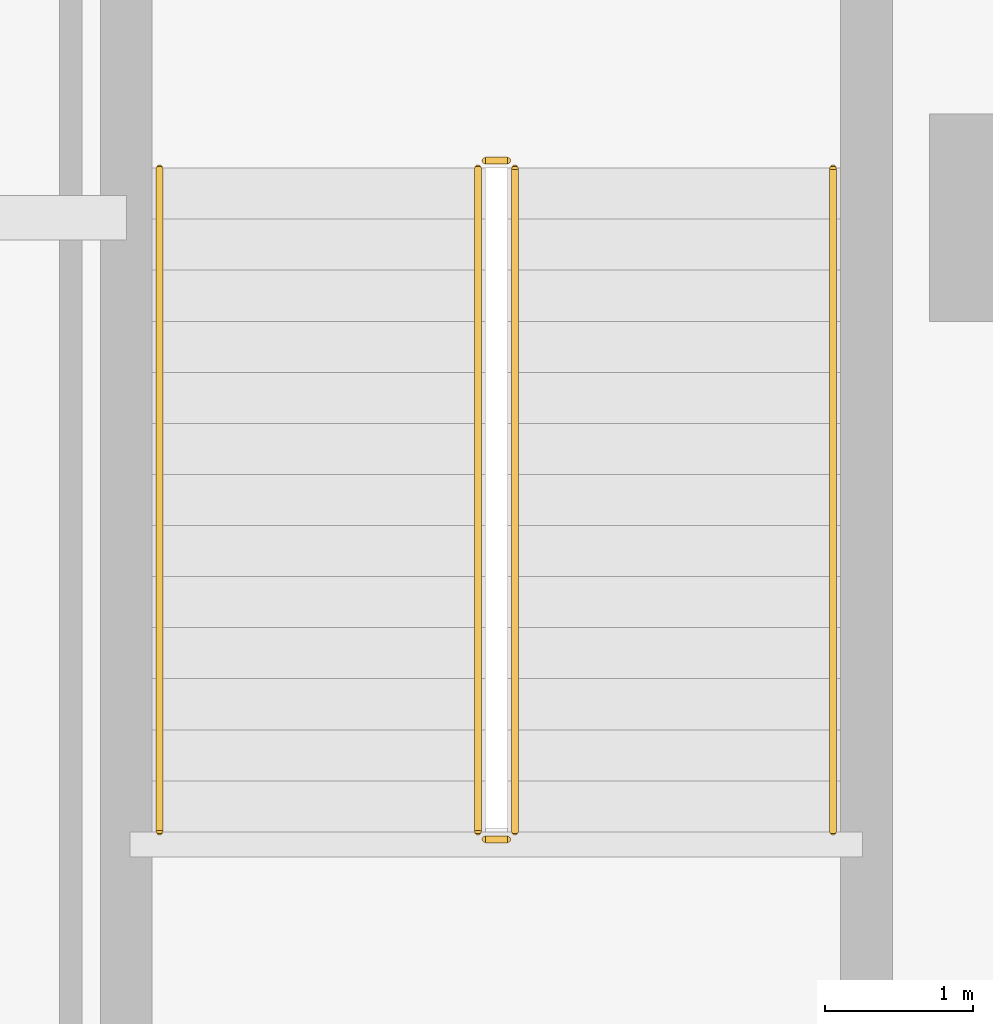
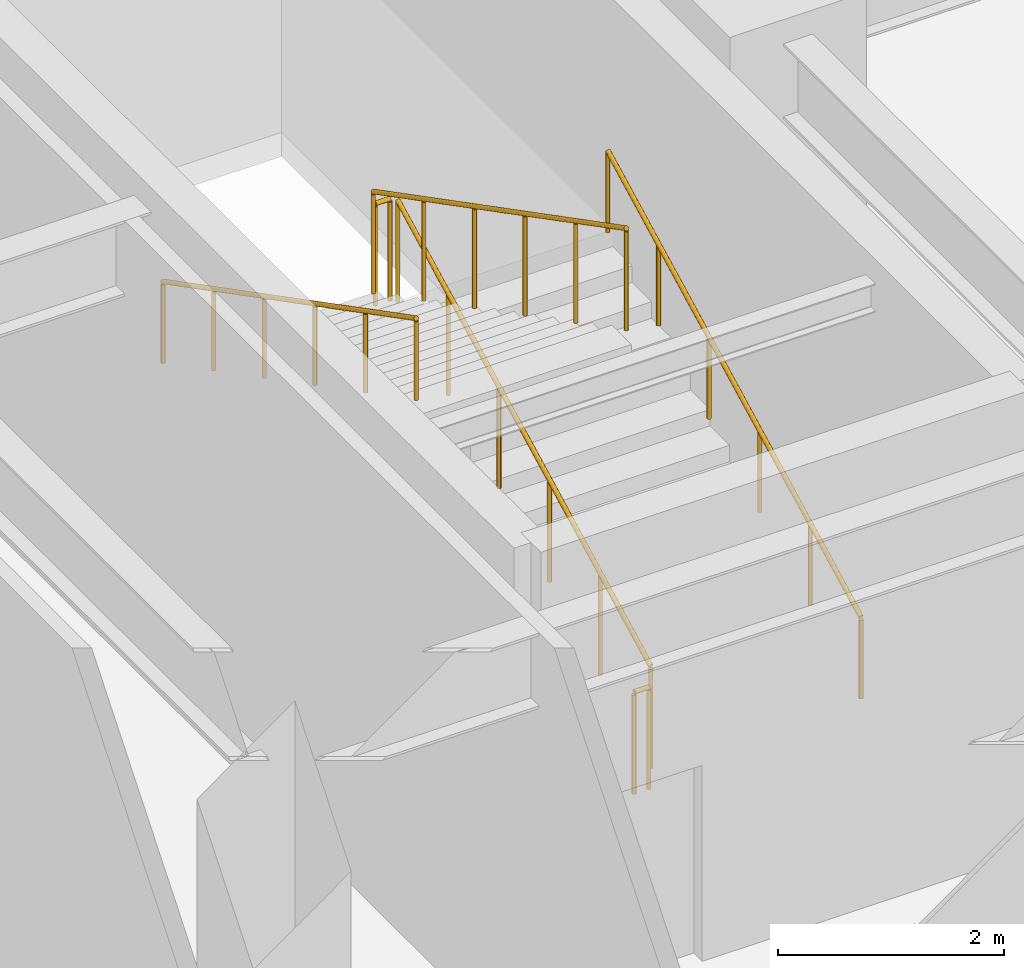
# One storey, part 33 of 39: 6 railings.
"""IFC4 building model written with IfcOpenShell, lengths in metres."""

from ifc_helpers import new_model, si_unit, direction, frame, origin, origin_2d, place, context, subcontext, project, spatial, circle, extrude, material, type_object, element, save


model = new_model("IFC4")

# Units and contexts
model_context = context("Model", 3, precision=1e-05, world=origin(), true_north=direction((0.0, 1.0)))
body_context = subcontext(model_context, "Body", "Model", "MODEL_VIEW")
ifc_project = project(units=[si_unit("LENGTHUNIT", "METRE"), si_unit("AREAUNIT", "SQUARE_METRE"), si_unit("VOLUMEUNIT", "CUBIC_METRE"), si_unit("PLANEANGLEUNIT", "RADIAN"), si_unit("MASSUNIT", "GRAM", prefix="KILO")], contexts=[model_context])

# Site, building, storey
site_placement = place(None, origin())
site = spatial("IfcSite", under=ifc_project, at=site_placement, CompositionType="ELEMENT")
building_placement = place(site_placement, origin())
building = spatial("IfcBuilding", under=site, at=building_placement, Name="Tolvann Quenvar Hotel", CompositionType="ELEMENT")
storey_placement = place(building_placement, frame((0.0, 0.0, 11.0)))
storey = spatial("IfcBuildingStorey", under=building, at=storey_placement, Name="L02", CompositionType="ELEMENT", Elevation=11.0)

# Railings
ifc_material = material(Name="Brushed 316 stainless steel balustrade and handrail", Category="steel")
railing_type_1 = type_object("IfcRailingType", Name="GUARDRAIL", PredefinedType="GUARDRAIL", material=ifc_material)
railing_1_placement = place(storey_placement, frame((52.89990234375, 4.050048828125, 0.178466796875)))
element("IfcRailing", 1, at=railing_1_placement, inside=storey, type_object=railing_type_1, Name="L02 ST-P3 stair guard 1", PredefinedType="GUARDRAIL", context=body_context, shape_type="SweptSolid", body=[
    extrude(circle(Radius=0.02392578125, at=origin_2d()), frame((0.0, 0.0, 1.09619140625), z_axis=(0.0, 0.888074065228, 0.459700396639), x_axis=(-1.0, 0.0, 0.0)), (0.0, 0.0, 1.0), 5.050048828125),
    extrude(circle(Radius=0.02099609375, at=origin_2d()), origin(), (0.0, 0.0, 1.0), 1.072021484375),
    extrude(circle(Radius=0.02099609375, at=origin_2d()), frame((0.0, 0.89697265625, 0.46435546875)), (0.0, 0.0, 1.0), 1.072021484375),
    extrude(circle(Radius=0.02099609375, at=origin_2d()), frame((0.0, 1.7939453125, 0.9287109375)), (0.0, 0.0, 1.0), 1.072021484375),
    extrude(circle(Radius=0.02099609375, at=origin_2d()), frame((0.0, 2.69091796875, 1.392822265625)), (0.0, 0.0, 1.0), 1.072021484375),
    extrude(circle(Radius=0.02099609375, at=origin_2d()), frame((0.0, 3.587890625, 1.857177734375)), (0.0, 0.0, 1.0), 1.072021484375),
    extrude(circle(Radius=0.02099609375, at=origin_2d()), frame((0.0, 4.48486328125, 2.321533203125)), (0.0, 0.0, 1.0), 1.072021484375),
])
railing_2_placement = place(storey_placement, frame((52.85009765625, 8.5849609375, 2.5)))
element("IfcRailing", 2, at=railing_2_placement, inside=storey, type_object=railing_type_1, Name="L02 ST-P3 stair guard 2", PredefinedType="GUARDRAIL", context=body_context, shape_type="SweptSolid", body=[
    extrude(circle(Radius=0.02392578125, at=origin_2d()), frame((0.0, 0.0, 1.09619140625), z_axis=(-1.0, 0.0, 0.0), x_axis=(0.0, -1.0, 0.0)), (0.0, 0.0, 1.0), 0.150146484375),
    extrude(circle(Radius=0.02099609375, at=origin_2d()), origin(), (0.0, 0.0, 1.0), 1.072021484375),
    extrude(circle(Radius=0.02099609375, at=origin_2d()), frame((-0.150146484375, 0.0, 0.0)), (0.0, 0.0, 1.0), 1.072021484375),
])
railing_3_placement = place(storey_placement, frame((52.64990234375, 8.534912109375, 2.678466796875)))
element("IfcRailing", 3, at=railing_3_placement, inside=storey, type_object=railing_type_1, Name="L02 ST-P3 stair guard 3", PredefinedType="GUARDRAIL", context=body_context, shape_type="SweptSolid", body=[
    extrude(circle(Radius=0.02392578125, at=origin_2d()), frame((0.0, 0.0, 1.09619140625), z_axis=(0.0, -0.888074065228, 0.459700396639), x_axis=(1.0, 0.0, 0.0)), (0.0, 0.0, 1.0), 5.050048828125),
    extrude(circle(Radius=0.02099609375, at=origin_2d()), origin(), (0.0, 0.0, 1.0), 1.072021484375),
    extrude(circle(Radius=0.02099609375, at=origin_2d()), frame((0.0, -0.89697265625, 0.46435546875)), (0.0, 0.0, 1.0), 1.072021484375),
    extrude(circle(Radius=0.02099609375, at=origin_2d()), frame((0.0, -1.7939453125, 0.9287109375)), (0.0, 0.0, 1.0), 1.072021484375),
    extrude(circle(Radius=0.02099609375, at=origin_2d()), frame((0.0, -2.69091796875, 1.392822265625)), (0.0, 0.0, 1.0), 1.072021484375),
    extrude(circle(Radius=0.02099609375, at=origin_2d()), frame((0.0, -3.587890625, 1.857177734375)), (0.0, 0.0, 1.0), 1.072021484375),
    extrude(circle(Radius=0.02099609375, at=origin_2d()), frame((0.0, -4.48486328125, 2.321533203125)), (0.0, 0.0, 1.0), 1.072021484375),
])
railing_4_placement = place(storey_placement, frame((52.85009765625, 4.0, 0.0)))
element("IfcRailing", 4, at=railing_4_placement, inside=storey, type_object=railing_type_1, Name="L02 ST-P3 stair guard 4", PredefinedType="GUARDRAIL", context=body_context, shape_type="SweptSolid", body=[
    extrude(circle(Radius=0.02392578125, at=origin_2d()), frame((0.0, 0.0, 1.09619140625), z_axis=(-1.0, 0.0, 0.0), x_axis=(0.0, -1.0, 0.0)), (0.0, 0.0, 1.0), 0.150146484375),
    extrude(circle(Radius=0.02099609375, at=origin_2d()), origin(), (0.0, 0.0, 1.0), 1.072021484375),
    extrude(circle(Radius=0.02099609375, at=origin_2d()), frame((-0.150146484375, 0.0, 0.0)), (0.0, 0.0, 1.0), 1.072021484375),
])
railing_type_2 = type_object("IfcRailingType", Name="HANDRAIL", PredefinedType="HANDRAIL", material=ifc_material)
railing_5_placement = place(storey_placement, frame((55.050048828125, 4.050048828125, 0.178466796875)))
element("IfcRailing", 5, at=railing_5_placement, inside=storey, type_object=railing_type_2, Name="L02 ST-P3 stair handrail 1", PredefinedType="HANDRAIL", context=body_context, shape_type="SweptSolid", body=[
    extrude(circle(Radius=0.02392578125, at=origin_2d()), frame((0.0, 0.0, 0.8759765625), z_axis=(0.0, 0.888074065228, 0.459700396639), x_axis=(-1.0, 0.0, 0.0)), (0.0, 0.0, 1.0), 5.050048828125),
    extrude(circle(Radius=0.02099609375, at=origin_2d()), origin(), (0.0, 0.0, 1.0), 0.851806640625),
    extrude(circle(Radius=0.02099609375, at=origin_2d()), frame((0.0, 0.89697265625, 0.46435546875)), (0.0, 0.0, 1.0), 0.851806640625),
    extrude(circle(Radius=0.02099609375, at=origin_2d()), frame((0.0, 1.7939453125, 0.9287109375)), (0.0, 0.0, 1.0), 0.851806640625),
    extrude(circle(Radius=0.02099609375, at=origin_2d()), frame((0.0, 2.69091796875, 1.392822265625)), (0.0, 0.0, 1.0), 0.851806640625),
    extrude(circle(Radius=0.02099609375, at=origin_2d()), frame((0.0, 3.587890625, 1.857177734375)), (0.0, 0.0, 1.0), 0.851806640625),
    extrude(circle(Radius=0.02099609375, at=origin_2d()), frame((0.0, 4.48486328125, 2.321533203125)), (0.0, 0.0, 1.0), 0.851806640625),
])
railing_6_placement = place(storey_placement, frame((50.5, 8.534912109375, 2.678466796875)))
element("IfcRailing", 6, at=railing_6_placement, inside=storey, type_object=railing_type_2, Name="L02 ST-P3 stair handrail 2", PredefinedType="HANDRAIL", context=body_context, shape_type="SweptSolid", body=[
    extrude(circle(Radius=0.02392578125, at=origin_2d()), frame((0.0, 0.0, 0.8759765625), z_axis=(0.0, -0.888074065228, 0.459700396639), x_axis=(1.0, 0.0, 0.0)), (0.0, 0.0, 1.0), 5.050048828125),
    extrude(circle(Radius=0.02099609375, at=origin_2d()), origin(), (0.0, 0.0, 1.0), 0.851806640625),
    extrude(circle(Radius=0.02099609375, at=origin_2d()), frame((0.0, -0.89697265625, 0.46435546875)), (0.0, 0.0, 1.0), 0.851806640625),
    extrude(circle(Radius=0.02099609375, at=origin_2d()), frame((0.0, -1.7939453125, 0.9287109375)), (0.0, 0.0, 1.0), 0.851806640625),
    extrude(circle(Radius=0.02099609375, at=origin_2d()), frame((0.0, -2.69091796875, 1.392822265625)), (0.0, 0.0, 1.0), 0.851806640625),
    extrude(circle(Radius=0.02099609375, at=origin_2d()), frame((0.0, -3.587890625, 1.857177734375)), (0.0, 0.0, 1.0), 0.851806640625),
    extrude(circle(Radius=0.02099609375, at=origin_2d()), frame((0.0, -4.48486328125, 2.321533203125)), (0.0, 0.0, 1.0), 0.851806640625),
])

save(model, "model.ifc")
